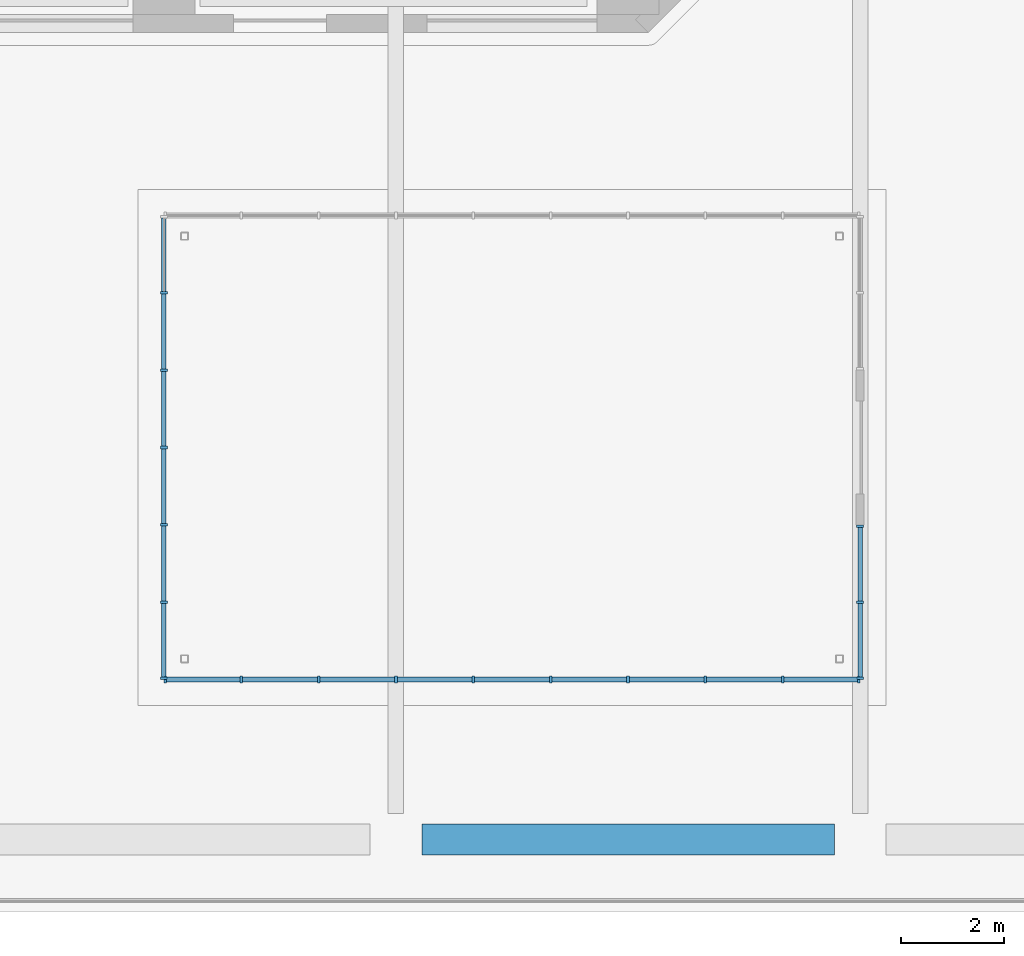
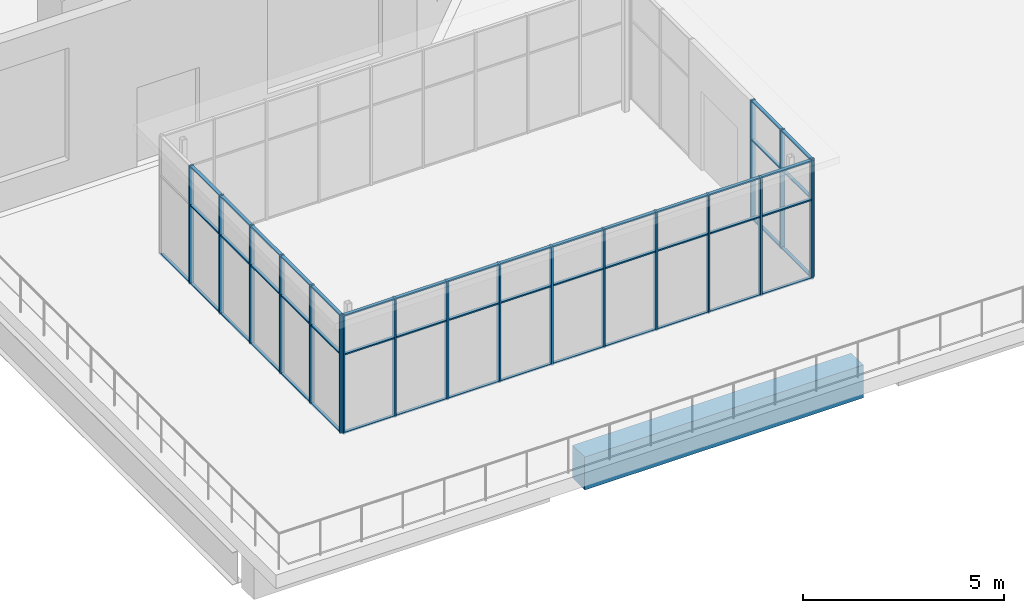
# One storey, part 9 of 33: 68 members, 1 beam, 3 elements without a shape of their own.
"""IFC4 building model written with IfcOpenShell, lengths in metres."""

from ifc_helpers import new_model, si_unit, direction, frame, origin, origin_2d, place, context, subcontext, project, spatial, rectangle, extrude, material, constituent, constituent_set, material_profile, profile_set, type_object, element, aggregate, save


model = new_model("IFC4")

# Units and contexts
model_context = context("Model", 3, precision=1e-05, world=origin(), true_north=direction((0.0, 1.0)))
body_context = subcontext(model_context, "Body", "Model", "MODEL_VIEW")
ifc_project = project(units=[si_unit("LENGTHUNIT", "METRE"), si_unit("AREAUNIT", "SQUARE_METRE"), si_unit("VOLUMEUNIT", "CUBIC_METRE"), si_unit("PLANEANGLEUNIT", "RADIAN"), si_unit("MASSUNIT", "GRAM", prefix="KILO")], contexts=[model_context])

# Site, building, storey
site_placement = place(None, origin())
site = spatial("IfcSite", under=ifc_project, at=site_placement, CompositionType="ELEMENT")
building_placement = place(site_placement, origin())
building = spatial("IfcBuilding", under=site, at=building_placement, Name="Quoin Convention Tower", CompositionType="ELEMENT")
storey_placement = place(building_placement, frame((0.0, 0.0, 8.0)))
storey = spatial("IfcBuildingStorey", under=building, at=storey_placement, Name="L01", CompositionType="ELEMENT", Elevation=8.0)

# Curtain wall, members
ifc_material_1 = material(Name="Aluminium", Category="aluminium")
ifc_constituent_1 = constituent(ifc_material_1, Name="Frame")
ifc_material_2 = material(Name="Insulated glass", Category="glass")
ifc_constituent_2 = constituent(ifc_material_2, Name="Glazing")
ifc_constituent_set = constituent_set(constituents=[ifc_constituent_1, ifc_constituent_2], Name="Aluminium")
curtain_wall_type = type_object("IfcCurtainWallType", Name="Garden pavilion glazing system", PredefinedType="NOTDEFINED", material=ifc_constituent_set)
curtain_wall_1_placement = place(storey_placement, origin())
curtain_wall_1 = element("IfcCurtainWall", 1, at=curtain_wall_1_placement, inside=storey, type_object=curtain_wall_type, Name="cw-PAV-E0-81000_4500", PredefinedType="NOTDEFINED")
ifc_material_profile_1 = material_profile(ifc_material_1, rectangle(XDim=0.1298828125, YDim=0.050048828125, at=origin_2d()), Name="Garden pavilion glazing mullion 50x130")
ifc_profile_set_1 = profile_set([ifc_material_profile_1], Name="Aluminium")
member_type_1 = type_object("IfcMemberType", Name="Garden pavilion glazing mullion 50x130", PredefinedType="MULLION", material=ifc_profile_set_1)
member_1_placement = place(storey_placement, frame((81.0, 4.52490234375, 0.0), z_axis=(0.0, 0.0, 1.0), x_axis=(-1.0, 0.0, 0.0)))
member_1 = element("IfcMember", 2, at=member_1_placement, type_object=member_type_1, Name="CW4 mullion 1", PredefinedType="MULLION", context=body_context, shape_type="SweptSolid", body=[
    extrude(rectangle(XDim=0.1298828125, YDim=0.050048828125, at=origin_2d()), origin(), (0.0, 0.0, 1.0), 3.60009765625),
])
member_2_placement = place(storey_placement, frame((81.0, 6.0, 0.0), z_axis=(0.0, 0.0, 1.0), x_axis=(-1.0, 0.0, 0.0)))
member_2 = element("IfcMember", 3, at=member_2_placement, type_object=member_type_1, Name="CW4 mullion 2", PredefinedType="MULLION", context=body_context, shape_type="SweptSolid", body=[
    extrude(rectangle(XDim=0.1298828125, YDim=0.050048828125, at=origin_2d()), origin(), (0.0, 0.0, 1.0), 3.60009765625),
])
member_3_placement = place(storey_placement, frame((81.0, 7.47509765625, 0.0), z_axis=(0.0, 0.0, 1.0), x_axis=(-1.0, 0.0, 0.0)))
member_3 = element("IfcMember", 4, at=member_3_placement, type_object=member_type_1, Name="CW4 mullion 3", PredefinedType="MULLION", context=body_context, shape_type="SweptSolid", body=[
    extrude(rectangle(XDim=0.1298828125, YDim=0.050048828125, at=origin_2d()), origin(), (0.0, 0.0, 1.0), 3.60009765625),
])

curtain_wall_2_placement = place(storey_placement, origin())
curtain_wall_2 = element("IfcCurtainWall", 5, at=curtain_wall_2_placement, inside=storey, type_object=curtain_wall_type, Name="cw-PAV-E2-67500_13500", PredefinedType="NOTDEFINED")
member_4_placement = place(storey_placement, frame((67.5, 12.0, 0.0), z_axis=(0.0, 0.0, 1.0), x_axis=(1.0, 0.0, 0.0)))
member_4 = element("IfcMember", 6, at=member_4_placement, type_object=member_type_1, Name="CW4 mullion 2", PredefinedType="MULLION", context=body_context, shape_type="SweptSolid", body=[
    extrude(rectangle(XDim=0.1298828125, YDim=0.050048828125, at=origin_2d()), origin(), (0.0, 0.0, 1.0), 3.60009765625),
])
member_5_placement = place(storey_placement, frame((67.5, 10.5, 0.0), z_axis=(0.0, 0.0, 1.0), x_axis=(1.0, 0.0, 0.0)))
member_5 = element("IfcMember", 7, at=member_5_placement, type_object=member_type_1, Name="CW4 mullion 3", PredefinedType="MULLION", context=body_context, shape_type="SweptSolid", body=[
    extrude(rectangle(XDim=0.1298828125, YDim=0.050048828125, at=origin_2d()), origin(), (0.0, 0.0, 1.0), 3.60009765625),
])
member_6_placement = place(storey_placement, frame((67.5, 9.0, 0.0), z_axis=(0.0, 0.0, 1.0), x_axis=(1.0, 0.0, 0.0)))
member_6 = element("IfcMember", 8, at=member_6_placement, type_object=member_type_1, Name="CW4 mullion 4", PredefinedType="MULLION", context=body_context, shape_type="SweptSolid", body=[
    extrude(rectangle(XDim=0.1298828125, YDim=0.050048828125, at=origin_2d()), origin(), (0.0, 0.0, 1.0), 3.60009765625),
])
member_7_placement = place(storey_placement, frame((67.5, 7.5, 0.0), z_axis=(0.0, 0.0, 1.0), x_axis=(1.0, 0.0, 0.0)))
member_7 = element("IfcMember", 9, at=member_7_placement, type_object=member_type_1, Name="CW4 mullion 5", PredefinedType="MULLION", context=body_context, shape_type="SweptSolid", body=[
    extrude(rectangle(XDim=0.1298828125, YDim=0.050048828125, at=origin_2d()), origin(), (0.0, 0.0, 1.0), 3.60009765625),
])
member_8_placement = place(storey_placement, frame((67.5, 6.0, 0.0), z_axis=(0.0, 0.0, 1.0), x_axis=(1.0, 0.0, 0.0)))
member_8 = element("IfcMember", 10, at=member_8_placement, type_object=member_type_1, Name="CW4 mullion 6", PredefinedType="MULLION", context=body_context, shape_type="SweptSolid", body=[
    extrude(rectangle(XDim=0.1298828125, YDim=0.050048828125, at=origin_2d()), origin(), (0.0, 0.0, 1.0), 3.60009765625),
])
member_9_placement = place(storey_placement, frame((67.5, 4.52490234375, 0.0), z_axis=(0.0, 0.0, 1.0), x_axis=(1.0, 0.0, 0.0)))
member_9 = element("IfcMember", 11, at=member_9_placement, type_object=member_type_1, Name="CW4 mullion 7", PredefinedType="MULLION", context=body_context, shape_type="SweptSolid", body=[
    extrude(rectangle(XDim=0.1298828125, YDim=0.050048828125, at=origin_2d()), origin(), (0.0, 0.0, 1.0), 3.60009765625),
])

curtain_wall_3_placement = place(storey_placement, origin())
curtain_wall_3 = element("IfcCurtainWall", 12, at=curtain_wall_3_placement, inside=storey, type_object=curtain_wall_type, Name="cw-PAV-E3-67500_4500", PredefinedType="NOTDEFINED")
member_10_placement = place(storey_placement, frame((67.52490234375, 4.5, 0.0), z_axis=(0.0, 0.0, 1.0), x_axis=(0.0, 1.0, 0.0)))
member_10 = element("IfcMember", 13, at=member_10_placement, type_object=member_type_1, Name="CW4 mullion 1", PredefinedType="MULLION", context=body_context, shape_type="SweptSolid", body=[
    extrude(rectangle(XDim=0.1298828125, YDim=0.050048828125, at=origin_2d()), origin(), (0.0, 0.0, 1.0), 3.60009765625),
])
member_11_placement = place(storey_placement, frame((69.0, 4.5, 0.0), z_axis=(0.0, 0.0, 1.0), x_axis=(0.0, 1.0, 0.0)))
member_11 = element("IfcMember", 14, at=member_11_placement, type_object=member_type_1, Name="CW4 mullion 2", PredefinedType="MULLION", context=body_context, shape_type="SweptSolid", body=[
    extrude(rectangle(XDim=0.1298828125, YDim=0.050048828125, at=origin_2d()), origin(), (0.0, 0.0, 1.0), 3.60009765625),
])
member_12_placement = place(storey_placement, frame((70.5, 4.5, 0.0), z_axis=(0.0, 0.0, 1.0), x_axis=(0.0, 1.0, 0.0)))
member_12 = element("IfcMember", 15, at=member_12_placement, type_object=member_type_1, Name="CW4 mullion 3", PredefinedType="MULLION", context=body_context, shape_type="SweptSolid", body=[
    extrude(rectangle(XDim=0.1298828125, YDim=0.050048828125, at=origin_2d()), origin(), (0.0, 0.0, 1.0), 3.60009765625),
])
member_13_placement = place(storey_placement, frame((72.0, 4.5, 0.0), z_axis=(0.0, 0.0, 1.0), x_axis=(0.0, 1.0, 0.0)))
member_13 = element("IfcMember", 16, at=member_13_placement, type_object=member_type_1, Name="CW4 mullion 4", PredefinedType="MULLION", context=body_context, shape_type="SweptSolid", body=[
    extrude(rectangle(XDim=0.1298828125, YDim=0.050048828125, at=origin_2d()), origin(), (0.0, 0.0, 1.0), 3.60009765625),
])
member_14_placement = place(storey_placement, frame((73.5, 4.5, 0.0), z_axis=(0.0, 0.0, 1.0), x_axis=(0.0, 1.0, 0.0)))
member_14 = element("IfcMember", 17, at=member_14_placement, type_object=member_type_1, Name="CW4 mullion 5", PredefinedType="MULLION", context=body_context, shape_type="SweptSolid", body=[
    extrude(rectangle(XDim=0.1298828125, YDim=0.050048828125, at=origin_2d()), origin(), (0.0, 0.0, 1.0), 3.60009765625),
])
member_15_placement = place(storey_placement, frame((75.0, 4.5, 0.0), z_axis=(0.0, 0.0, 1.0), x_axis=(0.0, 1.0, 0.0)))
member_15 = element("IfcMember", 18, at=member_15_placement, type_object=member_type_1, Name="CW4 mullion 6", PredefinedType="MULLION", context=body_context, shape_type="SweptSolid", body=[
    extrude(rectangle(XDim=0.1298828125, YDim=0.050048828125, at=origin_2d()), origin(), (0.0, 0.0, 1.0), 3.60009765625),
])
member_16_placement = place(storey_placement, frame((76.5, 4.5, 0.0), z_axis=(0.0, 0.0, 1.0), x_axis=(0.0, 1.0, 0.0)))
member_16 = element("IfcMember", 19, at=member_16_placement, type_object=member_type_1, Name="CW4 mullion 7", PredefinedType="MULLION", context=body_context, shape_type="SweptSolid", body=[
    extrude(rectangle(XDim=0.1298828125, YDim=0.050048828125, at=origin_2d()), origin(), (0.0, 0.0, 1.0), 3.60009765625),
])
member_17_placement = place(storey_placement, frame((78.0, 4.5, 0.0), z_axis=(0.0, 0.0, 1.0), x_axis=(0.0, 1.0, 0.0)))
member_17 = element("IfcMember", 20, at=member_17_placement, type_object=member_type_1, Name="CW4 mullion 8", PredefinedType="MULLION", context=body_context, shape_type="SweptSolid", body=[
    extrude(rectangle(XDim=0.1298828125, YDim=0.050048828125, at=origin_2d()), origin(), (0.0, 0.0, 1.0), 3.60009765625),
])
member_18_placement = place(storey_placement, frame((79.5, 4.5, 0.0), z_axis=(0.0, 0.0, 1.0), x_axis=(0.0, 1.0, 0.0)))
member_18 = element("IfcMember", 21, at=member_18_placement, type_object=member_type_1, Name="CW4 mullion 9", PredefinedType="MULLION", context=body_context, shape_type="SweptSolid", body=[
    extrude(rectangle(XDim=0.1298828125, YDim=0.050048828125, at=origin_2d()), origin(), (0.0, 0.0, 1.0), 3.60009765625),
])
member_19_placement = place(storey_placement, frame((80.97509765625, 4.5, 0.0), z_axis=(0.0, 0.0, 1.0), x_axis=(0.0, 1.0, 0.0)))
member_19 = element("IfcMember", 22, at=member_19_placement, type_object=member_type_1, Name="CW4 mullion 10", PredefinedType="MULLION", context=body_context, shape_type="SweptSolid", body=[
    extrude(rectangle(XDim=0.1298828125, YDim=0.050048828125, at=origin_2d()), origin(), (0.0, 0.0, 1.0), 3.60009765625),
])

# Member
ifc_material_profile_2 = material_profile(ifc_material_1, rectangle(XDim=0.090087890625, YDim=0.0400390625, at=origin_2d()), Name="Garden pavilion glazing transom 40x90")
ifc_profile_set_2 = profile_set([ifc_material_profile_2], Name="Aluminium")
member_type_2 = type_object("IfcMemberType", Name="Garden pavilion glazing transom 40x90", PredefinedType="USERDEFINED", material=ifc_profile_set_2)
member_20_placement = place(storey_placement, frame((81.0, 4.550048828125, 0.02001953125), z_axis=(0.0, 1.0, 0.0), x_axis=(-1.0, 0.0, 0.0)))
member_20 = element("IfcMember", 23, at=member_20_placement, type_object=member_type_2, Name="CW4 transom 1.1", ObjectType="TRANSOM", PredefinedType="USERDEFINED", context=body_context, shape_type="SweptSolid", body=[
    extrude(rectangle(XDim=0.090087890625, YDim=0.0400390625, at=origin_2d()), origin(), (0.0, 0.0, 1.0), 1.425048828125),
])

member_21_placement = place(storey_placement, frame((81.0, 4.550048828125, 2.39990234375), z_axis=(0.0, 1.0, 0.0), x_axis=(-1.0, 0.0, 0.0)))
member_21 = element("IfcMember", 24, at=member_21_placement, type_object=member_type_2, Name="CW4 transom 1.2", ObjectType="TRANSOM", PredefinedType="USERDEFINED", context=body_context, shape_type="SweptSolid", body=[
    extrude(rectangle(XDim=0.090087890625, YDim=0.0400390625, at=origin_2d()), origin(), (0.0, 0.0, 1.0), 1.425048828125),
])

member_22_placement = place(storey_placement, frame((81.0, 4.550048828125, 3.580078125), z_axis=(0.0, 1.0, 0.0), x_axis=(-1.0, 0.0, 0.0)))
member_22 = element("IfcMember", 25, at=member_22_placement, type_object=member_type_2, Name="CW4 transom 1.3", ObjectType="TRANSOM", PredefinedType="USERDEFINED", context=body_context, shape_type="SweptSolid", body=[
    extrude(rectangle(XDim=0.090087890625, YDim=0.0400390625, at=origin_2d()), origin(), (0.0, 0.0, 1.0), 1.425048828125),
])

member_23_placement = place(storey_placement, frame((81.0, 6.02490234375, 0.02001953125), z_axis=(0.0, 1.0, 0.0), x_axis=(-1.0, 0.0, 0.0)))
member_23 = element("IfcMember", 26, at=member_23_placement, type_object=member_type_2, Name="CW4 transom 2.1", ObjectType="TRANSOM", PredefinedType="USERDEFINED", context=body_context, shape_type="SweptSolid", body=[
    extrude(rectangle(XDim=0.090087890625, YDim=0.0400390625, at=origin_2d()), origin(), (0.0, 0.0, 1.0), 1.425048828125),
])

member_24_placement = place(storey_placement, frame((81.0, 6.02490234375, 2.39990234375), z_axis=(0.0, 1.0, 0.0), x_axis=(-1.0, 0.0, 0.0)))
member_24 = element("IfcMember", 27, at=member_24_placement, type_object=member_type_2, Name="CW4 transom 2.2", ObjectType="TRANSOM", PredefinedType="USERDEFINED", context=body_context, shape_type="SweptSolid", body=[
    extrude(rectangle(XDim=0.090087890625, YDim=0.0400390625, at=origin_2d()), origin(), (0.0, 0.0, 1.0), 1.425048828125),
])

member_25_placement = place(storey_placement, frame((81.0, 6.02490234375, 3.580078125), z_axis=(0.0, 1.0, 0.0), x_axis=(-1.0, 0.0, 0.0)))
member_25 = element("IfcMember", 28, at=member_25_placement, type_object=member_type_2, Name="CW4 transom 2.3", ObjectType="TRANSOM", PredefinedType="USERDEFINED", context=body_context, shape_type="SweptSolid", body=[
    extrude(rectangle(XDim=0.090087890625, YDim=0.0400390625, at=origin_2d()), origin(), (0.0, 0.0, 1.0), 1.425048828125),
])

aggregate(curtain_wall_1, [member_1, member_2, member_3, member_20, member_21, member_22, member_23, member_24, member_25])

member_26_placement = place(storey_placement, frame((67.5, 13.449951171875, 0.02001953125), z_axis=(0.0, -1.0, 0.0), x_axis=(1.0, 0.0, 0.0)))
member_26 = element("IfcMember", 29, at=member_26_placement, type_object=member_type_2, Name="CW4 transom 1.1", ObjectType="TRANSOM", PredefinedType="USERDEFINED", context=body_context, shape_type="SweptSolid", body=[
    extrude(rectangle(XDim=0.090087890625, YDim=0.0400390625, at=origin_2d()), origin(), (0.0, 0.0, 1.0), 1.425048828125),
])

member_27_placement = place(storey_placement, frame((67.5, 11.97509765625, 0.02001953125), z_axis=(0.0, -1.0, 0.0), x_axis=(1.0, 0.0, 0.0)))
member_27 = element("IfcMember", 30, at=member_27_placement, type_object=member_type_2, Name="CW4 transom 2.1", ObjectType="TRANSOM", PredefinedType="USERDEFINED", context=body_context, shape_type="SweptSolid", body=[
    extrude(rectangle(XDim=0.090087890625, YDim=0.0400390625, at=origin_2d()), origin(), (0.0, 0.0, 1.0), 1.4501953125),
])

member_28_placement = place(storey_placement, frame((67.5, 11.97509765625, 2.39990234375), z_axis=(0.0, -1.0, 0.0), x_axis=(1.0, 0.0, 0.0)))
member_28 = element("IfcMember", 31, at=member_28_placement, type_object=member_type_2, Name="CW4 transom 2.2", ObjectType="TRANSOM", PredefinedType="USERDEFINED", context=body_context, shape_type="SweptSolid", body=[
    extrude(rectangle(XDim=0.090087890625, YDim=0.0400390625, at=origin_2d()), origin(), (0.0, 0.0, 1.0), 1.4501953125),
])

member_29_placement = place(storey_placement, frame((67.5, 11.97509765625, 3.580078125), z_axis=(0.0, -1.0, 0.0), x_axis=(1.0, 0.0, 0.0)))
member_29 = element("IfcMember", 32, at=member_29_placement, type_object=member_type_2, Name="CW4 transom 2.3", ObjectType="TRANSOM", PredefinedType="USERDEFINED", context=body_context, shape_type="SweptSolid", body=[
    extrude(rectangle(XDim=0.090087890625, YDim=0.0400390625, at=origin_2d()), origin(), (0.0, 0.0, 1.0), 1.4501953125),
])

member_30_placement = place(storey_placement, frame((67.5, 10.47509765625, 0.02001953125), z_axis=(0.0, -1.0, 0.0), x_axis=(1.0, 0.0, 0.0)))
member_30 = element("IfcMember", 33, at=member_30_placement, type_object=member_type_2, Name="CW4 transom 3.1", ObjectType="TRANSOM", PredefinedType="USERDEFINED", context=body_context, shape_type="SweptSolid", body=[
    extrude(rectangle(XDim=0.090087890625, YDim=0.0400390625, at=origin_2d()), origin(), (0.0, 0.0, 1.0), 1.4501953125),
])

member_31_placement = place(storey_placement, frame((67.5, 10.47509765625, 2.39990234375), z_axis=(0.0, -1.0, 0.0), x_axis=(1.0, 0.0, 0.0)))
member_31 = element("IfcMember", 34, at=member_31_placement, type_object=member_type_2, Name="CW4 transom 3.2", ObjectType="TRANSOM", PredefinedType="USERDEFINED", context=body_context, shape_type="SweptSolid", body=[
    extrude(rectangle(XDim=0.090087890625, YDim=0.0400390625, at=origin_2d()), origin(), (0.0, 0.0, 1.0), 1.4501953125),
])

member_32_placement = place(storey_placement, frame((67.5, 10.47509765625, 3.580078125), z_axis=(0.0, -1.0, 0.0), x_axis=(1.0, 0.0, 0.0)))
member_32 = element("IfcMember", 35, at=member_32_placement, type_object=member_type_2, Name="CW4 transom 3.3", ObjectType="TRANSOM", PredefinedType="USERDEFINED", context=body_context, shape_type="SweptSolid", body=[
    extrude(rectangle(XDim=0.090087890625, YDim=0.0400390625, at=origin_2d()), origin(), (0.0, 0.0, 1.0), 1.4501953125),
])

member_33_placement = place(storey_placement, frame((67.5, 8.97509765625, 0.02001953125), z_axis=(0.0, -1.0, 0.0), x_axis=(1.0, 0.0, 0.0)))
member_33 = element("IfcMember", 36, at=member_33_placement, type_object=member_type_2, Name="CW4 transom 4.1", ObjectType="TRANSOM", PredefinedType="USERDEFINED", context=body_context, shape_type="SweptSolid", body=[
    extrude(rectangle(XDim=0.090087890625, YDim=0.0400390625, at=origin_2d()), origin(), (0.0, 0.0, 1.0), 1.4501953125),
])

member_34_placement = place(storey_placement, frame((67.5, 8.97509765625, 2.39990234375), z_axis=(0.0, -1.0, 0.0), x_axis=(1.0, 0.0, 0.0)))
member_34 = element("IfcMember", 37, at=member_34_placement, type_object=member_type_2, Name="CW4 transom 4.2", ObjectType="TRANSOM", PredefinedType="USERDEFINED", context=body_context, shape_type="SweptSolid", body=[
    extrude(rectangle(XDim=0.090087890625, YDim=0.0400390625, at=origin_2d()), origin(), (0.0, 0.0, 1.0), 1.4501953125),
])

member_35_placement = place(storey_placement, frame((67.5, 8.97509765625, 3.580078125), z_axis=(0.0, -1.0, 0.0), x_axis=(1.0, 0.0, 0.0)))
member_35 = element("IfcMember", 38, at=member_35_placement, type_object=member_type_2, Name="CW4 transom 4.3", ObjectType="TRANSOM", PredefinedType="USERDEFINED", context=body_context, shape_type="SweptSolid", body=[
    extrude(rectangle(XDim=0.090087890625, YDim=0.0400390625, at=origin_2d()), origin(), (0.0, 0.0, 1.0), 1.4501953125),
])

member_36_placement = place(storey_placement, frame((67.5, 7.47509765625, 0.02001953125), z_axis=(0.0, -1.0, 0.0), x_axis=(1.0, 0.0, 0.0)))
member_36 = element("IfcMember", 39, at=member_36_placement, type_object=member_type_2, Name="CW4 transom 5.1", ObjectType="TRANSOM", PredefinedType="USERDEFINED", context=body_context, shape_type="SweptSolid", body=[
    extrude(rectangle(XDim=0.090087890625, YDim=0.0400390625, at=origin_2d()), origin(), (0.0, 0.0, 1.0), 1.4501953125),
])

member_37_placement = place(storey_placement, frame((67.5, 7.47509765625, 2.39990234375), z_axis=(0.0, -1.0, 0.0), x_axis=(1.0, 0.0, 0.0)))
member_37 = element("IfcMember", 40, at=member_37_placement, type_object=member_type_2, Name="CW4 transom 5.2", ObjectType="TRANSOM", PredefinedType="USERDEFINED", context=body_context, shape_type="SweptSolid", body=[
    extrude(rectangle(XDim=0.090087890625, YDim=0.0400390625, at=origin_2d()), origin(), (0.0, 0.0, 1.0), 1.4501953125),
])

member_38_placement = place(storey_placement, frame((67.5, 7.47509765625, 3.580078125), z_axis=(0.0, -1.0, 0.0), x_axis=(1.0, 0.0, 0.0)))
member_38 = element("IfcMember", 41, at=member_38_placement, type_object=member_type_2, Name="CW4 transom 5.3", ObjectType="TRANSOM", PredefinedType="USERDEFINED", context=body_context, shape_type="SweptSolid", body=[
    extrude(rectangle(XDim=0.090087890625, YDim=0.0400390625, at=origin_2d()), origin(), (0.0, 0.0, 1.0), 1.4501953125),
])

member_39_placement = place(storey_placement, frame((67.5, 5.97509765625, 0.02001953125), z_axis=(0.0, -1.0, 0.0), x_axis=(1.0, 0.0, 0.0)))
member_39 = element("IfcMember", 42, at=member_39_placement, type_object=member_type_2, Name="CW4 transom 6.1", ObjectType="TRANSOM", PredefinedType="USERDEFINED", context=body_context, shape_type="SweptSolid", body=[
    extrude(rectangle(XDim=0.090087890625, YDim=0.0400390625, at=origin_2d()), origin(), (0.0, 0.0, 1.0), 1.425048828125),
])

member_40_placement = place(storey_placement, frame((67.5, 5.97509765625, 2.39990234375), z_axis=(0.0, -1.0, 0.0), x_axis=(1.0, 0.0, 0.0)))
member_40 = element("IfcMember", 43, at=member_40_placement, type_object=member_type_2, Name="CW4 transom 6.2", ObjectType="TRANSOM", PredefinedType="USERDEFINED", context=body_context, shape_type="SweptSolid", body=[
    extrude(rectangle(XDim=0.090087890625, YDim=0.0400390625, at=origin_2d()), origin(), (0.0, 0.0, 1.0), 1.425048828125),
])

member_41_placement = place(storey_placement, frame((67.5, 5.97509765625, 3.580078125), z_axis=(0.0, -1.0, 0.0), x_axis=(1.0, 0.0, 0.0)))
member_41 = element("IfcMember", 44, at=member_41_placement, type_object=member_type_2, Name="CW4 transom 6.3", ObjectType="TRANSOM", PredefinedType="USERDEFINED", context=body_context, shape_type="SweptSolid", body=[
    extrude(rectangle(XDim=0.090087890625, YDim=0.0400390625, at=origin_2d()), origin(), (0.0, 0.0, 1.0), 1.425048828125),
])

aggregate(curtain_wall_2, [member_4, member_5, member_6, member_7, member_8, member_9, member_26, member_27, member_28, member_29, member_30, member_31, member_32, member_33, member_34, member_35, member_36, member_37, member_38, member_39, member_40, member_41])

member_42_placement = place(storey_placement, frame((67.550048828125, 4.5, 0.02001953125), z_axis=(1.0, 0.0, 0.0), x_axis=(0.0, 1.0, 0.0)))
member_42 = element("IfcMember", 45, at=member_42_placement, type_object=member_type_2, Name="CW4 transom 1.1", ObjectType="TRANSOM", PredefinedType="USERDEFINED", context=body_context, shape_type="SweptSolid", body=[
    extrude(rectangle(XDim=0.090087890625, YDim=0.0400390625, at=origin_2d()), origin(), (0.0, 0.0, 1.0), 1.425048828125),
])

member_43_placement = place(storey_placement, frame((67.550048828125, 4.5, 2.39990234375), z_axis=(1.0, 0.0, 0.0), x_axis=(0.0, 1.0, 0.0)))
member_43 = element("IfcMember", 46, at=member_43_placement, type_object=member_type_2, Name="CW4 transom 1.2", ObjectType="TRANSOM", PredefinedType="USERDEFINED", context=body_context, shape_type="SweptSolid", body=[
    extrude(rectangle(XDim=0.090087890625, YDim=0.0400390625, at=origin_2d()), origin(), (0.0, 0.0, 1.0), 1.425048828125),
])

member_44_placement = place(storey_placement, frame((67.550048828125, 4.5, 3.580078125), z_axis=(1.0, 0.0, 0.0), x_axis=(0.0, 1.0, 0.0)))
member_44 = element("IfcMember", 47, at=member_44_placement, type_object=member_type_2, Name="CW4 transom 1.3", ObjectType="TRANSOM", PredefinedType="USERDEFINED", context=body_context, shape_type="SweptSolid", body=[
    extrude(rectangle(XDim=0.090087890625, YDim=0.0400390625, at=origin_2d()), origin(), (0.0, 0.0, 1.0), 1.425048828125),
])

member_45_placement = place(storey_placement, frame((69.02490234375, 4.5, 0.02001953125), z_axis=(1.0, 0.0, 0.0), x_axis=(0.0, 1.0, 0.0)))
member_45 = element("IfcMember", 48, at=member_45_placement, type_object=member_type_2, Name="CW4 transom 2.1", ObjectType="TRANSOM", PredefinedType="USERDEFINED", context=body_context, shape_type="SweptSolid", body=[
    extrude(rectangle(XDim=0.090087890625, YDim=0.0400390625, at=origin_2d()), origin(), (0.0, 0.0, 1.0), 1.4501953125),
])

member_46_placement = place(storey_placement, frame((69.02490234375, 4.5, 2.39990234375), z_axis=(1.0, 0.0, 0.0), x_axis=(0.0, 1.0, 0.0)))
member_46 = element("IfcMember", 49, at=member_46_placement, type_object=member_type_2, Name="CW4 transom 2.2", ObjectType="TRANSOM", PredefinedType="USERDEFINED", context=body_context, shape_type="SweptSolid", body=[
    extrude(rectangle(XDim=0.090087890625, YDim=0.0400390625, at=origin_2d()), origin(), (0.0, 0.0, 1.0), 1.4501953125),
])

member_47_placement = place(storey_placement, frame((69.02490234375, 4.5, 3.580078125), z_axis=(1.0, 0.0, 0.0), x_axis=(0.0, 1.0, 0.0)))
member_47 = element("IfcMember", 50, at=member_47_placement, type_object=member_type_2, Name="CW4 transom 2.3", ObjectType="TRANSOM", PredefinedType="USERDEFINED", context=body_context, shape_type="SweptSolid", body=[
    extrude(rectangle(XDim=0.090087890625, YDim=0.0400390625, at=origin_2d()), origin(), (0.0, 0.0, 1.0), 1.4501953125),
])

member_48_placement = place(storey_placement, frame((70.52490234375, 4.5, 0.02001953125), z_axis=(1.0, 0.0, 0.0), x_axis=(0.0, 1.0, 0.0)))
member_48 = element("IfcMember", 51, at=member_48_placement, type_object=member_type_2, Name="CW4 transom 3.1", ObjectType="TRANSOM", PredefinedType="USERDEFINED", context=body_context, shape_type="SweptSolid", body=[
    extrude(rectangle(XDim=0.090087890625, YDim=0.0400390625, at=origin_2d()), origin(), (0.0, 0.0, 1.0), 1.4501953125),
])

member_49_placement = place(storey_placement, frame((70.52490234375, 4.5, 2.39990234375), z_axis=(1.0, 0.0, 0.0), x_axis=(0.0, 1.0, 0.0)))
member_49 = element("IfcMember", 52, at=member_49_placement, type_object=member_type_2, Name="CW4 transom 3.2", ObjectType="TRANSOM", PredefinedType="USERDEFINED", context=body_context, shape_type="SweptSolid", body=[
    extrude(rectangle(XDim=0.090087890625, YDim=0.0400390625, at=origin_2d()), origin(), (0.0, 0.0, 1.0), 1.4501953125),
])

member_50_placement = place(storey_placement, frame((70.52490234375, 4.5, 3.580078125), z_axis=(1.0, 0.0, 0.0), x_axis=(0.0, 1.0, 0.0)))
member_50 = element("IfcMember", 53, at=member_50_placement, type_object=member_type_2, Name="CW4 transom 3.3", ObjectType="TRANSOM", PredefinedType="USERDEFINED", context=body_context, shape_type="SweptSolid", body=[
    extrude(rectangle(XDim=0.090087890625, YDim=0.0400390625, at=origin_2d()), origin(), (0.0, 0.0, 1.0), 1.4501953125),
])

member_51_placement = place(storey_placement, frame((72.02490234375, 4.5, 0.02001953125), z_axis=(1.0, 0.0, 0.0), x_axis=(0.0, 1.0, 0.0)))
member_51 = element("IfcMember", 54, at=member_51_placement, type_object=member_type_2, Name="CW4 transom 4.1", ObjectType="TRANSOM", PredefinedType="USERDEFINED", context=body_context, shape_type="SweptSolid", body=[
    extrude(rectangle(XDim=0.090087890625, YDim=0.0400390625, at=origin_2d()), origin(), (0.0, 0.0, 1.0), 1.4501953125),
])

member_52_placement = place(storey_placement, frame((72.02490234375, 4.5, 2.39990234375), z_axis=(1.0, 0.0, 0.0), x_axis=(0.0, 1.0, 0.0)))
member_52 = element("IfcMember", 55, at=member_52_placement, type_object=member_type_2, Name="CW4 transom 4.2", ObjectType="TRANSOM", PredefinedType="USERDEFINED", context=body_context, shape_type="SweptSolid", body=[
    extrude(rectangle(XDim=0.090087890625, YDim=0.0400390625, at=origin_2d()), origin(), (0.0, 0.0, 1.0), 1.4501953125),
])

member_53_placement = place(storey_placement, frame((72.02490234375, 4.5, 3.580078125), z_axis=(1.0, 0.0, 0.0), x_axis=(0.0, 1.0, 0.0)))
member_53 = element("IfcMember", 56, at=member_53_placement, type_object=member_type_2, Name="CW4 transom 4.3", ObjectType="TRANSOM", PredefinedType="USERDEFINED", context=body_context, shape_type="SweptSolid", body=[
    extrude(rectangle(XDim=0.090087890625, YDim=0.0400390625, at=origin_2d()), origin(), (0.0, 0.0, 1.0), 1.4501953125),
])

member_54_placement = place(storey_placement, frame((73.52490234375, 4.5, 0.02001953125), z_axis=(1.0, 0.0, 0.0), x_axis=(0.0, 1.0, 0.0)))
member_54 = element("IfcMember", 57, at=member_54_placement, type_object=member_type_2, Name="CW4 transom 5.1", ObjectType="TRANSOM", PredefinedType="USERDEFINED", context=body_context, shape_type="SweptSolid", body=[
    extrude(rectangle(XDim=0.090087890625, YDim=0.0400390625, at=origin_2d()), origin(), (0.0, 0.0, 1.0), 1.4501953125),
])

member_55_placement = place(storey_placement, frame((73.52490234375, 4.5, 2.39990234375), z_axis=(1.0, 0.0, 0.0), x_axis=(0.0, 1.0, 0.0)))
member_55 = element("IfcMember", 58, at=member_55_placement, type_object=member_type_2, Name="CW4 transom 5.2", ObjectType="TRANSOM", PredefinedType="USERDEFINED", context=body_context, shape_type="SweptSolid", body=[
    extrude(rectangle(XDim=0.090087890625, YDim=0.0400390625, at=origin_2d()), origin(), (0.0, 0.0, 1.0), 1.4501953125),
])

member_56_placement = place(storey_placement, frame((73.52490234375, 4.5, 3.580078125), z_axis=(1.0, 0.0, 0.0), x_axis=(0.0, 1.0, 0.0)))
member_56 = element("IfcMember", 59, at=member_56_placement, type_object=member_type_2, Name="CW4 transom 5.3", ObjectType="TRANSOM", PredefinedType="USERDEFINED", context=body_context, shape_type="SweptSolid", body=[
    extrude(rectangle(XDim=0.090087890625, YDim=0.0400390625, at=origin_2d()), origin(), (0.0, 0.0, 1.0), 1.4501953125),
])

member_57_placement = place(storey_placement, frame((75.02490234375, 4.5, 0.02001953125), z_axis=(1.0, 0.0, 0.0), x_axis=(0.0, 1.0, 0.0)))
member_57 = element("IfcMember", 60, at=member_57_placement, type_object=member_type_2, Name="CW4 transom 6.1", ObjectType="TRANSOM", PredefinedType="USERDEFINED", context=body_context, shape_type="SweptSolid", body=[
    extrude(rectangle(XDim=0.090087890625, YDim=0.0400390625, at=origin_2d()), origin(), (0.0, 0.0, 1.0), 1.4501953125),
])

member_58_placement = place(storey_placement, frame((75.02490234375, 4.5, 2.39990234375), z_axis=(1.0, 0.0, 0.0), x_axis=(0.0, 1.0, 0.0)))
member_58 = element("IfcMember", 61, at=member_58_placement, type_object=member_type_2, Name="CW4 transom 6.2", ObjectType="TRANSOM", PredefinedType="USERDEFINED", context=body_context, shape_type="SweptSolid", body=[
    extrude(rectangle(XDim=0.090087890625, YDim=0.0400390625, at=origin_2d()), origin(), (0.0, 0.0, 1.0), 1.4501953125),
])

member_59_placement = place(storey_placement, frame((75.02490234375, 4.5, 3.580078125), z_axis=(1.0, 0.0, 0.0), x_axis=(0.0, 1.0, 0.0)))
member_59 = element("IfcMember", 62, at=member_59_placement, type_object=member_type_2, Name="CW4 transom 6.3", ObjectType="TRANSOM", PredefinedType="USERDEFINED", context=body_context, shape_type="SweptSolid", body=[
    extrude(rectangle(XDim=0.090087890625, YDim=0.0400390625, at=origin_2d()), origin(), (0.0, 0.0, 1.0), 1.4501953125),
])

member_60_placement = place(storey_placement, frame((76.52490234375, 4.5, 0.02001953125), z_axis=(1.0, 0.0, 0.0), x_axis=(0.0, 1.0, 0.0)))
member_60 = element("IfcMember", 63, at=member_60_placement, type_object=member_type_2, Name="CW4 transom 7.1", ObjectType="TRANSOM", PredefinedType="USERDEFINED", context=body_context, shape_type="SweptSolid", body=[
    extrude(rectangle(XDim=0.090087890625, YDim=0.0400390625, at=origin_2d()), origin(), (0.0, 0.0, 1.0), 1.4501953125),
])

member_61_placement = place(storey_placement, frame((76.52490234375, 4.5, 2.39990234375), z_axis=(1.0, 0.0, 0.0), x_axis=(0.0, 1.0, 0.0)))
member_61 = element("IfcMember", 64, at=member_61_placement, type_object=member_type_2, Name="CW4 transom 7.2", ObjectType="TRANSOM", PredefinedType="USERDEFINED", context=body_context, shape_type="SweptSolid", body=[
    extrude(rectangle(XDim=0.090087890625, YDim=0.0400390625, at=origin_2d()), origin(), (0.0, 0.0, 1.0), 1.4501953125),
])

member_62_placement = place(storey_placement, frame((76.52490234375, 4.5, 3.580078125), z_axis=(1.0, 0.0, 0.0), x_axis=(0.0, 1.0, 0.0)))
member_62 = element("IfcMember", 65, at=member_62_placement, type_object=member_type_2, Name="CW4 transom 7.3", ObjectType="TRANSOM", PredefinedType="USERDEFINED", context=body_context, shape_type="SweptSolid", body=[
    extrude(rectangle(XDim=0.090087890625, YDim=0.0400390625, at=origin_2d()), origin(), (0.0, 0.0, 1.0), 1.4501953125),
])

member_63_placement = place(storey_placement, frame((78.02490234375, 4.5, 0.02001953125), z_axis=(1.0, 0.0, 0.0), x_axis=(0.0, 1.0, 0.0)))
member_63 = element("IfcMember", 66, at=member_63_placement, type_object=member_type_2, Name="CW4 transom 8.1", ObjectType="TRANSOM", PredefinedType="USERDEFINED", context=body_context, shape_type="SweptSolid", body=[
    extrude(rectangle(XDim=0.090087890625, YDim=0.0400390625, at=origin_2d()), origin(), (0.0, 0.0, 1.0), 1.4501953125),
])

member_64_placement = place(storey_placement, frame((78.02490234375, 4.5, 2.39990234375), z_axis=(1.0, 0.0, 0.0), x_axis=(0.0, 1.0, 0.0)))
member_64 = element("IfcMember", 67, at=member_64_placement, type_object=member_type_2, Name="CW4 transom 8.2", ObjectType="TRANSOM", PredefinedType="USERDEFINED", context=body_context, shape_type="SweptSolid", body=[
    extrude(rectangle(XDim=0.090087890625, YDim=0.0400390625, at=origin_2d()), origin(), (0.0, 0.0, 1.0), 1.4501953125),
])

member_65_placement = place(storey_placement, frame((78.02490234375, 4.5, 3.580078125), z_axis=(1.0, 0.0, 0.0), x_axis=(0.0, 1.0, 0.0)))
member_65 = element("IfcMember", 68, at=member_65_placement, type_object=member_type_2, Name="CW4 transom 8.3", ObjectType="TRANSOM", PredefinedType="USERDEFINED", context=body_context, shape_type="SweptSolid", body=[
    extrude(rectangle(XDim=0.090087890625, YDim=0.0400390625, at=origin_2d()), origin(), (0.0, 0.0, 1.0), 1.4501953125),
])

member_66_placement = place(storey_placement, frame((79.52490234375, 4.5, 0.02001953125), z_axis=(1.0, 0.0, 0.0), x_axis=(0.0, 1.0, 0.0)))
member_66 = element("IfcMember", 69, at=member_66_placement, type_object=member_type_2, Name="CW4 transom 9.1", ObjectType="TRANSOM", PredefinedType="USERDEFINED", context=body_context, shape_type="SweptSolid", body=[
    extrude(rectangle(XDim=0.090087890625, YDim=0.0400390625, at=origin_2d()), origin(), (0.0, 0.0, 1.0), 1.425048828125),
])

member_67_placement = place(storey_placement, frame((79.52490234375, 4.5, 2.39990234375), z_axis=(1.0, 0.0, 0.0), x_axis=(0.0, 1.0, 0.0)))
member_67 = element("IfcMember", 70, at=member_67_placement, type_object=member_type_2, Name="CW4 transom 9.2", ObjectType="TRANSOM", PredefinedType="USERDEFINED", context=body_context, shape_type="SweptSolid", body=[
    extrude(rectangle(XDim=0.090087890625, YDim=0.0400390625, at=origin_2d()), origin(), (0.0, 0.0, 1.0), 1.425048828125),
])

member_68_placement = place(storey_placement, frame((79.52490234375, 4.5, 3.580078125), z_axis=(1.0, 0.0, 0.0), x_axis=(0.0, 1.0, 0.0)))
member_68 = element("IfcMember", 71, at=member_68_placement, type_object=member_type_2, Name="CW4 transom 9.3", ObjectType="TRANSOM", PredefinedType="USERDEFINED", context=body_context, shape_type="SweptSolid", body=[
    extrude(rectangle(XDim=0.090087890625, YDim=0.0400390625, at=origin_2d()), origin(), (0.0, 0.0, 1.0), 1.425048828125),
])

aggregate(curtain_wall_3, [member_10, member_11, member_12, member_13, member_14, member_15, member_16, member_17, member_18, member_19, member_42, member_43, member_44, member_45, member_46, member_47, member_48, member_49, member_50, member_51, member_52, member_53, member_54, member_55, member_56, member_57, member_58, member_59, member_60, member_61, member_62, member_63, member_64, member_65, member_66, member_67, member_68])

# Beam
ifc_material_3 = material(Name="Concrete C100 (100 MPa)", Category="concrete")
ifc_material_profile_3 = material_profile(ifc_material_3, rectangle(XDim=0.60009765625, YDim=1.0, at=origin_2d()), Name="RC 600x1000")
ifc_profile_set_3 = profile_set([ifc_material_profile_3], Name="Concrete C100 (100 MPa)")
beam_type = type_object("IfcBeamType", Name="RC 600x1000 C100", PredefinedType="SPANDREL", material=ifc_profile_set_3)
beam_placement = place(storey_placement, frame((72.5, 1.39990234375, -0.909912109375), z_axis=(1.0, 0.0, 0.0), x_axis=(0.0, 1.0, 0.0)))
element("IfcBeam", 72, at=beam_placement, inside=storey, type_object=beam_type, Name="spd-L01-edge-72000_1400-81000_1400", PredefinedType="SPANDREL", context=body_context, shape_type="SweptSolid", body=[
    extrude(rectangle(XDim=0.60009765625, YDim=1.0, at=origin_2d()), origin(), (0.0, 0.0, 1.0), 8.0),
])

save(model, "model.ifc")
